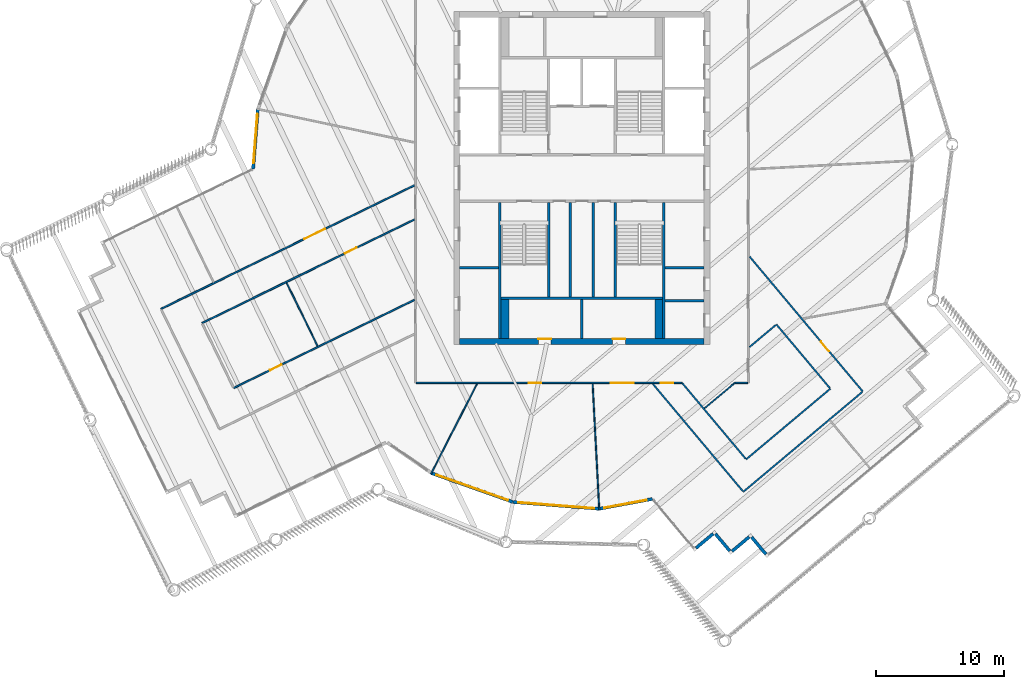
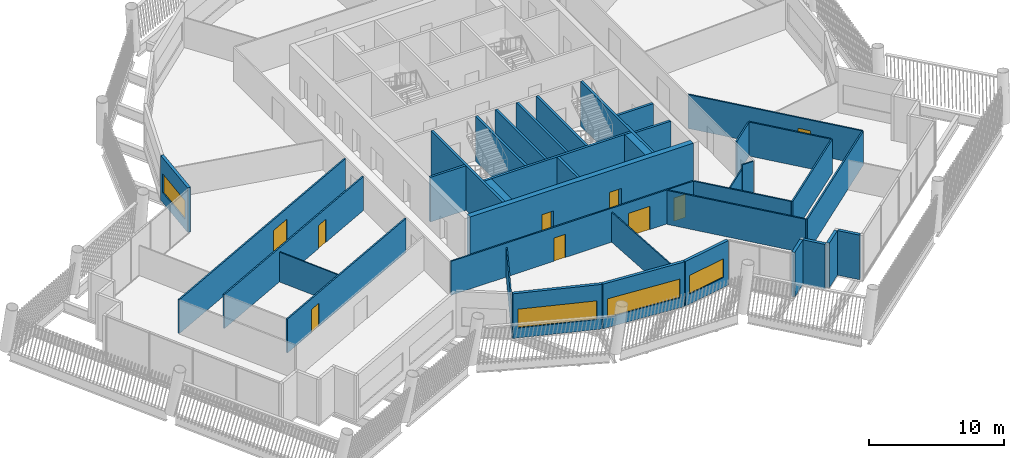
# One storey, part 20 of 31: 38 walls, 9 doors, 4 windows, 13 openings.
"""IFC4 building model written with IfcOpenShell, lengths in metres."""

from ifc_helpers import new_model, si_unit, direction, frame, frame_2d, origin, place, context, subcontext, project, spatial, rectangle, extrude, material, layer, layer_set, type_object, element, fill, save


model = new_model("IFC4")

# Units and contexts
model_context = context("Model", 3, precision=1e-05, world=origin(), true_north=direction((0.0, 1.0)))
body_context = subcontext(model_context, "Body", "Model", "MODEL_VIEW")
ifc_project = project(units=[si_unit("LENGTHUNIT", "METRE"), si_unit("AREAUNIT", "SQUARE_METRE"), si_unit("VOLUMEUNIT", "CUBIC_METRE"), si_unit("PLANEANGLEUNIT", "RADIAN"), si_unit("MASSUNIT", "GRAM", prefix="KILO")], contexts=[model_context])

# Site, building, storey
site_placement = place(None, origin())
site = spatial("IfcSite", under=ifc_project, at=site_placement, CompositionType="ELEMENT")
building_placement = place(site_placement, origin())
building = spatial("IfcBuilding", under=site, at=building_placement, Name="Tarsis Ring Headquarters", CompositionType="ELEMENT")
storey_placement = place(building_placement, frame((0.0, 0.0, 390.199951171875)))
storey = spatial("IfcBuildingStorey", under=building, at=storey_placement, Name="L92", CompositionType="ELEMENT", Elevation=390.199951171875)

# Walls
ifc_material_1 = material(Name="Blockwork", Category="masonry")
ifc_layer_1 = layer(ifc_material_1, 0.199951171875)
ifc_layer_set_1 = layer_set([ifc_layer_1], Name="Core blockwork wall 200")
wall_type_1 = type_object("IfcWallType", Name="Core blockwork wall 200", PredefinedType="PARTITIONING", material=ifc_layer_set_1)
for number, where, z_axis, x_axis, name in (
    (1, (-9.550048828125, -7.0, 0.0), (0.0, 0.0, 1.0), (1.0, 0.0, 0.0), "Core partition WD2"),
    (2, (6.5, -9.60009765625, 0.0), (0.0, 0.0, 1.0), (1.0, 0.0, 0.0), "Core partition ED1"),
    (3, (6.5, -7.0, 0.0), (0.0, 0.0, 1.0), (1.0, 0.0, 0.0), "Core partition ED2"),
    (4, (0.0, -12.550048828125, 0.0), (0.0, 0.0, 1.0), (0.0, 1.0, 0.0), "Core partition SD2"),
):
    element("IfcWall", number, at=place(storey_placement, frame(where, z_axis=z_axis, x_axis=x_axis)), inside=storey, type_object=wall_type_1, Name=name, PredefinedType="PARTITIONING", context=body_context, shape_type="SweptSolid", body=[
        extrude(rectangle(XDim=3.050048828125, YDim=0.199951171875, at=frame_2d((1.52490234375, 0.0))), origin(), (0.0, 0.0, 1.0), 4.0400390625),
    ])
for number, where, z_axis, x_axis, name in (
    (5, (-0.89990234375, -9.300048828125, 0.0), (0.0, 0.0, 1.0), (0.0, 1.0, 0.0), "Core partition SV1"),
    (6, (0.89990234375, -9.300048828125, 0.0), (0.0, 0.0, 1.0), (0.0, 1.0, 0.0), "Core partition SV2"),
):
    element("IfcWall", number, at=place(storey_placement, frame(where, z_axis=z_axis, x_axis=x_axis)), inside=storey, type_object=wall_type_1, Name=name, PredefinedType="PARTITIONING", context=body_context, shape_type="SweptSolid", body=[
        extrude(rectangle(XDim=7.400146484375, YDim=0.199951171875, at=frame_2d((3.7001953125, 0.0))), origin(), (0.0, 0.0, 1.0), 4.0400390625),
    ])

# Wall, openings, doors
ifc_material_2 = material(Name="Concrete C50/60", Category="concrete")
ifc_layer_2 = layer(ifc_material_2, 0.449951171875)
ifc_layer_set_2 = layer_set([ifc_layer_2], Name="Core wall 450 C50/60")
wall_type_2 = type_object("IfcWallType", Name="Core wall 450 C50/60", PredefinedType="SHEAR", material=ifc_layer_set_2)
wall_1_placement = place(storey_placement, frame((-9.550048828125, -12.77490234375, 0.0), z_axis=(0.0, 0.0, 1.0), x_axis=(1.0, 0.0, 0.0)))
wall_1 = element("IfcWall", 7, at=wall_1_placement, inside=storey, type_object=wall_type_2, Name="Core wall OS", PredefinedType="SHEAR", context=body_context, shape_type="SweptSolid", body=[
    extrude(rectangle(XDim=19.10009765625, YDim=0.449951171875, at=frame_2d((9.550048828125, 0.0))), origin(), (0.0, 0.0, 1.0), 4.0400390625),
])
opening_1_placement = place(wall_1_placement, frame((6.14990234375, 0.0, 0.0)))
opening_1 = element("IfcOpeningElement", 8, at=opening_1_placement, cuts=wall_1, Name="Opening L92-C18", PredefinedType="OPENING", context=body_context, shape_type="SweptSolid", body=[
    extrude(rectangle(XDim=1.0, YDim=2.10009765625, at=frame_2d((0.5, 1.050048828125))), frame((0.0, 0.23486328125, 0.0), z_axis=(0.0, -1.0, 0.0), x_axis=(1.0, 0.0, 0.0)), (0.0, 0.0, 1.0), 0.469970703125),
])
opening_2_placement = place(wall_1_placement, frame((11.949951171875, 0.0, 0.0)))
opening_2 = element("IfcOpeningElement", 9, at=opening_2_placement, cuts=wall_1, Name="Opening L92-C19", PredefinedType="OPENING", context=body_context, shape_type="SweptSolid", body=[
    extrude(rectangle(XDim=1.0, YDim=2.10009765625, at=frame_2d((0.5, 1.050048828125))), frame((0.0, 0.23486328125, 0.0), z_axis=(0.0, -1.0, 0.0), x_axis=(1.0, 0.0, 0.0)), (0.0, 0.0, 1.0), 0.469970703125),
])
ifc_material_3 = material(Name="Steel S355", Category="steel")
door_type_1 = type_object("IfcDoorType", Name="Core room door 1000x2100", OperationType="SINGLE_SWING_LEFT", PredefinedType="DOOR", material=ifc_material_3)
door_1_placement = place(opening_1_placement, origin())
door_1 = element("IfcDoor", 10, at=door_1_placement, inside=storey, type_object=door_type_1, Name="Core room door L92", OperationType="SINGLE_SWING_LEFT", OverallHeight=2.10009765625, OverallWidth=1.0, PredefinedType="DOOR", context=body_context, shape_type="SweptSolid", body=[
    extrude(rectangle(XDim=1.0, YDim=2.10009765625, at=frame_2d((0.5, 1.050048828125))), frame((0.0, 0.22509765625, 0.0), z_axis=(0.0, -1.0, 0.0), x_axis=(1.0, 0.0, 0.0)), (0.0, 0.0, 1.0), 0.050048828125),
])
fill(opening_1, door_1)
door_2_placement = place(opening_2_placement, origin())
door_2 = element("IfcDoor", 11, at=door_2_placement, inside=storey, type_object=door_type_1, Name="Core room door L92", OperationType="SINGLE_SWING_LEFT", OverallHeight=2.10009765625, OverallWidth=1.0, PredefinedType="DOOR", context=body_context, shape_type="SweptSolid", body=[
    extrude(rectangle(XDim=1.0, YDim=2.10009765625, at=frame_2d((0.5, 1.050048828125))), frame((0.0, 0.22509765625, 0.0), z_axis=(0.0, -1.0, 0.0), x_axis=(1.0, 0.0, 0.0)), (0.0, 0.0, 1.0), 0.050048828125),
])
fill(opening_2, door_2)

# Walls
ifc_material_4 = material(Name="Gypsum board on steel studs", Category="steel")
ifc_layer_3 = layer(ifc_material_4, 0.10009765625)
ifc_layer_set_3 = layer_set([ifc_layer_3], Name="FL partition 100 unrated")
wall_type_3 = type_object("IfcWallType", Name="FL partition 100 unrated", PredefinedType="PARTITIONING", material=ifc_layer_set_3)
wall_2_placement = place(storey_placement, frame((0.84228515625, -16.06982421875, 0.0), z_axis=(0.0, 0.0, 1.0), x_axis=(0.05231570924, -0.998630595649, 0.0)))
element("IfcWall", 12, at=wall_2_placement, inside=storey, type_object=wall_type_3, Name="Partition PW3", PredefinedType="PARTITIONING", context=body_context, shape_type="SweptSolid", body=[
    extrude(rectangle(XDim=9.85595703125, YDim=0.10009765625, at=frame_2d((4.927978515625, 0.0))), origin(), (0.0, 0.0, 1.0), 2.699951171875),
])
wall_3_placement = place(storey_placement, frame((-11.780029296875, -23.11962890625, 0.0), z_axis=(0.0, 0.0, 1.0), x_axis=(0.453974386458, 0.891014734132, 0.0)))
element("IfcWall", 13, at=wall_3_placement, inside=storey, type_object=wall_type_3, Name="Partition PW3", PredefinedType="PARTITIONING", context=body_context, shape_type="SweptSolid", body=[
    extrude(rectangle(XDim=7.900634765625, YDim=0.10009765625, at=frame_2d((3.9501953125, 0.0))), origin(), (0.0, 0.0, 1.0), 2.699951171875),
])
wall_4_placement = place(storey_placement, frame((-23.05517578125, -8.18505859375, 0.0), z_axis=(0.0, 0.0, 1.0), x_axis=(0.438349292002, -0.898804705262, 0.0)))
element("IfcWall", 14, at=wall_4_placement, inside=storey, type_object=wall_type_3, Name="Partition PW3", PredefinedType="PARTITIONING", context=body_context, shape_type="SweptSolid", body=[
    extrude(rectangle(XDim=5.5, YDim=0.10009765625, at=frame_2d((2.75, 0.0))), origin(), (0.0, 0.0, 1.0), 2.699951171875),
])
wall_5_placement = place(storey_placement, frame((9.58447265625, -17.987548828125, 0.0), z_axis=(0.0, 0.0, 1.0), x_axis=(0.76602217135, 0.642814151213, 0.0)))
element("IfcWall", 15, at=wall_5_placement, inside=storey, type_object=wall_type_3, Name="Partition PW3", PredefinedType="PARTITIONING", context=body_context, shape_type="SweptSolid", body=[
    extrude(rectangle(XDim=3.09130859375, YDim=0.10009765625, at=frame_2d((1.545654296875, 0.0))), origin(), (0.0, 0.0, 1.0), 2.699951171875),
])

# Wall, opening, door
ifc_layer_4 = layer(ifc_material_4, 0.125)
ifc_layer_set_4 = layer_set([ifc_layer_4], Name="FL partition 125 EI 60 H3070")
wall_type_4 = type_object("IfcWallType", Name="FL partition 125 EI 60 H3070", PredefinedType="PARTITIONING", material=ifc_layer_set_4)
wall_6_placement = place(storey_placement, frame((-32.874267578125, -10.22607421875, 0.0), z_axis=(0.0, 0.0, 1.0), x_axis=(0.898795932762, 0.438367278946, 0.0)))
wall_6 = element("IfcWall", 16, at=wall_6_placement, inside=storey, type_object=wall_type_4, Name="Partition PW1H307", PredefinedType="PARTITIONING", context=body_context, shape_type="SweptSolid", body=[
    extrude(rectangle(XDim=22.022216796875, YDim=0.125, at=frame_2d((11.01123046875, 0.0))), origin(), (0.0, 0.0, 1.0), 3.070068359375),
])
opening_3_placement = place(wall_6_placement, frame((12.458984375, 0.0, 0.0)))
opening_3 = element("IfcOpeningElement", 17, at=opening_3_placement, cuts=wall_6, Name="Opening D92.02", PredefinedType="OPENING", context=body_context, shape_type="SweptSolid", body=[
    extrude(rectangle(XDim=1.800048828125, YDim=2.10009765625, at=frame_2d((0.89990234375, 1.050048828125))), frame((0.0, 0.072509765625, 0.0), z_axis=(0.0, -1.0, 0.0), x_axis=(1.0, 0.0, 0.0)), (0.0, 0.0, 1.0), 0.14501953125),
])
ifc_material_5 = material(Name="Fire-rated timber door leaf in steel frame", Category="steel")
door_type_2 = type_object("IfcDoorType", Name="FL door FD60-1800", OperationType="DOUBLE_DOOR_SINGLE_SWING", PredefinedType="DOOR", material=ifc_material_5)
door_3_placement = place(opening_3_placement, origin())
door_3 = element("IfcDoor", 18, at=door_3_placement, inside=storey, type_object=door_type_2, Name="Door D92.02", OperationType="DOUBLE_DOOR_SINGLE_SWING", OverallHeight=2.10009765625, OverallWidth=1.800048828125, PredefinedType="DOOR", context=body_context, shape_type="SweptSolid", body=[
    extrude(rectangle(XDim=1.800048828125, YDim=2.10009765625, at=frame_2d((0.89990234375, 1.050048828125))), frame((0.0, 0.02490234375, 0.0), z_axis=(0.0, -1.0, 0.0), x_axis=(1.0, 0.0, 0.0)), (0.0, 0.0, 1.0), 0.050048828125),
])
fill(opening_3, door_3)

# Wall, openings, doors
wall_7_placement = place(storey_placement, frame((-12.93994140625, -16.0, 0.0), z_axis=(0.0, 0.0, 1.0), x_axis=(1.0, 0.0, 0.0)))
wall_7 = element("IfcWall", 19, at=wall_7_placement, inside=storey, type_object=wall_type_4, Name="Partition PW1H307", PredefinedType="PARTITIONING", context=body_context, shape_type="SweptSolid", body=[
    extrude(rectangle(XDim=20.76513671875, YDim=0.125, at=frame_2d((10.382568359375, 0.0))), origin(), (0.0, 0.0, 1.0), 3.070068359375),
])
opening_4_placement = place(wall_7_placement, frame((15.197021484375, 0.0, 0.0)))
opening_4 = element("IfcOpeningElement", 20, at=opening_4_placement, cuts=wall_7, Name="Opening D92.10", PredefinedType="OPENING", context=body_context, shape_type="SweptSolid", body=[
    extrude(rectangle(XDim=1.800048828125, YDim=2.10009765625, at=frame_2d((0.89990234375, 1.050048828125))), frame((0.0, 0.072509765625, 0.0), z_axis=(0.0, -1.0, 0.0), x_axis=(1.0, 0.0, 0.0)), (0.0, 0.0, 1.0), 0.14501953125),
])
opening_5_placement = place(wall_7_placement, frame((8.783203125, 0.0, 0.0)))
opening_5 = element("IfcOpeningElement", 21, at=opening_5_placement, cuts=wall_7, Name="Opening D92.11", PredefinedType="OPENING", context=body_context, shape_type="SweptSolid", body=[
    extrude(rectangle(XDim=1.0, YDim=2.10009765625, at=frame_2d((0.5, 1.050048828125))), frame((0.0, 0.072509765625, 0.0), z_axis=(0.0, -1.0, 0.0), x_axis=(1.0, 0.0, 0.0)), (0.0, 0.0, 1.0), 0.14501953125),
])
opening_6_placement = place(wall_7_placement, frame((19.090576171875, 0.0, 0.0)))
opening_6 = element("IfcOpeningElement", 22, at=opening_6_placement, cuts=wall_7, Name="Opening D92.15", PredefinedType="OPENING", context=body_context, shape_type="SweptSolid", body=[
    extrude(rectangle(XDim=1.0, YDim=2.10009765625, at=frame_2d((0.5, 1.050048828125))), frame((0.0, 0.072509765625, 0.0), z_axis=(0.0, -1.0, 0.0), x_axis=(1.0, 0.0, 0.0)), (0.0, 0.0, 1.0), 0.14501953125),
])
door_type_3 = type_object("IfcDoorType", Name="FL door FD60-1000", OperationType="NOTDEFINED", PredefinedType="DOOR", material=ifc_material_5)
door_4_placement = place(opening_5_placement, origin())
door_4 = element("IfcDoor", 23, at=door_4_placement, inside=storey, type_object=door_type_3, Name="Door D92.11", OperationType="SINGLE_SWING_LEFT", OverallHeight=2.10009765625, OverallWidth=1.0, PredefinedType="DOOR", context=body_context, shape_type="SweptSolid", body=[
    extrude(rectangle(XDim=1.0, YDim=2.10009765625, at=frame_2d((0.5, 1.050048828125))), frame((0.0, 0.02490234375, 0.0), z_axis=(0.0, -1.0, 0.0), x_axis=(1.0, 0.0, 0.0)), (0.0, 0.0, 1.0), 0.050048828125),
])
fill(opening_5, door_4)
door_5_placement = place(opening_6_placement, origin())
door_5 = element("IfcDoor", 24, at=door_5_placement, inside=storey, type_object=door_type_3, Name="Door D92.15", OperationType="SINGLE_SWING_LEFT", OverallHeight=2.10009765625, OverallWidth=1.0, PredefinedType="DOOR", context=body_context, shape_type="SweptSolid", body=[
    extrude(rectangle(XDim=1.0, YDim=2.10009765625, at=frame_2d((0.5, 1.050048828125))), frame((0.0, 0.02490234375, 0.0), z_axis=(0.0, -1.0, 0.0), x_axis=(1.0, 0.0, 0.0)), (0.0, 0.0, 1.0), 0.050048828125),
])
fill(opening_6, door_5)
door_6_placement = place(opening_4_placement, origin())
door_6 = element("IfcDoor", 25, at=door_6_placement, inside=storey, type_object=door_type_2, Name="Door D92.10", OperationType="DOUBLE_DOOR_SINGLE_SWING", OverallHeight=2.10009765625, OverallWidth=1.800048828125, PredefinedType="DOOR", context=body_context, shape_type="SweptSolid", body=[
    extrude(rectangle(XDim=1.800048828125, YDim=2.10009765625, at=frame_2d((0.89990234375, 1.050048828125))), frame((0.0, 0.02490234375, 0.0), z_axis=(0.0, -1.0, 0.0), x_axis=(1.0, 0.0, 0.0)), (0.0, 0.0, 1.0), 0.050048828125),
])
fill(opening_4, door_6)

# Wall, opening, door
wall_8_placement = place(storey_placement, frame((-29.6650390625, -11.3310546875, 0.0), z_axis=(0.0, 0.0, 1.0), x_axis=(0.898795021218, 0.438369147904, 0.0)))
wall_8 = element("IfcWall", 26, at=wall_8_placement, inside=storey, type_object=wall_type_4, Name="Partition PW1H307", PredefinedType="PARTITIONING", context=body_context, shape_type="SweptSolid", body=[
    extrude(rectangle(XDim=18.45166015625, YDim=0.125, at=frame_2d((9.225830078125, 0.0))), origin(), (0.0, 0.0, 1.0), 3.070068359375),
])
opening_7_placement = place(wall_8_placement, frame((12.429443359375, 0.0, 0.0)))
opening_7 = element("IfcOpeningElement", 27, at=opening_7_placement, cuts=wall_8, Name="Opening D92.12", PredefinedType="OPENING", context=body_context, shape_type="SweptSolid", body=[
    extrude(rectangle(XDim=1.0, YDim=2.10009765625, at=frame_2d((0.5, 1.050048828125))), frame((0.0, 0.072509765625, 0.0), z_axis=(0.0, -1.0, 0.0), x_axis=(1.0, 0.0, 0.0)), (0.0, 0.0, 1.0), 0.14501953125),
])
door_7_placement = place(opening_7_placement, origin())
door_7 = element("IfcDoor", 28, at=door_7_placement, inside=storey, type_object=door_type_3, Name="Door D92.12", OperationType="SINGLE_SWING_RIGHT", OverallHeight=2.10009765625, OverallWidth=1.0, PredefinedType="DOOR", context=body_context, shape_type="SweptSolid", body=[
    extrude(rectangle(XDim=1.0, YDim=2.10009765625, at=frame_2d((0.5, 1.050048828125))), frame((0.0, 0.02490234375, 0.0), z_axis=(0.0, -1.0, 0.0), x_axis=(1.0, 0.0, 0.0)), (0.0, 0.0, 1.0), 0.050048828125),
])
fill(opening_7, door_7)

wall_9_placement = place(storey_placement, frame((-27.192626953125, -16.400390625, 0.0), z_axis=(0.0, 0.0, 1.0), x_axis=(0.898793550561, 0.438372163202, 0.0)))
wall_9 = element("IfcWall", 29, at=wall_9_placement, inside=storey, type_object=wall_type_4, Name="Partition PW1H307", PredefinedType="PARTITIONING", context=body_context, shape_type="SweptSolid", body=[
    extrude(rectangle(XDim=15.700927734375, YDim=0.125, at=frame_2d((7.8505859375, 0.0))), origin(), (0.0, 0.0, 1.0), 3.070068359375),
])
opening_8_placement = place(wall_9_placement, frame((3.15869140625, 0.0, 0.0)))
opening_8 = element("IfcOpeningElement", 30, at=opening_8_placement, cuts=wall_9, Name="Opening D92.13", PredefinedType="OPENING", context=body_context, shape_type="SweptSolid", body=[
    extrude(rectangle(XDim=1.0, YDim=2.10009765625, at=frame_2d((0.5, 1.050048828125))), frame((0.0, 0.072509765625, 0.0), z_axis=(0.0, -1.0, 0.0), x_axis=(1.0, 0.0, 0.0)), (0.0, 0.0, 1.0), 0.14501953125),
])
door_8_placement = place(opening_8_placement, origin())
door_8 = element("IfcDoor", 31, at=door_8_placement, inside=storey, type_object=door_type_3, Name="Door D92.13", OperationType="SINGLE_SWING_LEFT", OverallHeight=2.10009765625, OverallWidth=1.0, PredefinedType="DOOR", context=body_context, shape_type="SweptSolid", body=[
    extrude(rectangle(XDim=1.0, YDim=2.10009765625, at=frame_2d((0.5, 1.050048828125))), frame((0.0, 0.02490234375, 0.0), z_axis=(0.0, -1.0, 0.0), x_axis=(1.0, 0.0, 0.0)), (0.0, 0.0, 1.0), 0.050048828125),
])
fill(opening_8, door_8)

wall_10_placement = place(storey_placement, frame((13.096435546875, -6.13330078125, 0.0), z_axis=(0.0, 0.0, 1.0), x_axis=(0.64278389698, -0.766047558434, 0.0)))
wall_10 = element("IfcWall", 32, at=wall_10_placement, inside=storey, type_object=wall_type_4, Name="Partition PW1H307", PredefinedType="PARTITIONING", context=body_context, shape_type="SweptSolid", body=[
    extrude(rectangle(XDim=13.763427734375, YDim=0.125, at=frame_2d((6.8818359375, 0.0))), origin(), (0.0, 0.0, 1.0), 3.070068359375),
])
opening_9_placement = place(wall_10_placement, frame((8.65869140625, 0.0, 0.0)))
opening_9 = element("IfcOpeningElement", 33, at=opening_9_placement, cuts=wall_10, Name="Opening D92.09", PredefinedType="OPENING", context=body_context, shape_type="SweptSolid", body=[
    extrude(rectangle(XDim=1.0, YDim=2.10009765625, at=frame_2d((0.5, 1.050048828125))), frame((0.0, 0.072509765625, 0.0), z_axis=(0.0, -1.0, 0.0), x_axis=(1.0, 0.0, 0.0)), (0.0, 0.0, 1.0), 0.14501953125),
])
door_9_placement = place(opening_9_placement, origin())
door_9 = element("IfcDoor", 34, at=door_9_placement, inside=storey, type_object=door_type_3, Name="Door D92.09", OperationType="SINGLE_SWING_LEFT", OverallHeight=2.10009765625, OverallWidth=1.0, PredefinedType="DOOR", context=body_context, shape_type="SweptSolid", body=[
    extrude(rectangle(XDim=1.0, YDim=2.10009765625, at=frame_2d((0.5, 1.050048828125))), frame((0.0, 0.02490234375, 0.0), z_axis=(0.0, -1.0, 0.0), x_axis=(1.0, 0.0, 0.0)), (0.0, 0.0, 1.0), 0.050048828125),
])
fill(opening_9, door_9)

# Walls
wall_11_placement = place(storey_placement, frame((12.61279296875, -24.505859375, 0.0), z_axis=(0.0, 0.0, 1.0), x_axis=(0.766053954802, 0.642776273934, 0.0)))
element("IfcWall", 35, at=wall_11_placement, inside=storey, type_object=wall_type_4, Name="Partition PW1H307", PredefinedType="PARTITIONING", context=body_context, shape_type="SweptSolid", body=[
    extrude(rectangle(XDim=12.1201171875, YDim=0.125, at=frame_2d((6.06005859375, 0.0))), origin(), (0.0, 0.0, 1.0), 3.070068359375),
])
wall_12_placement = place(storey_placement, frame((5.552734375, -16.091796875, 0.0), z_axis=(0.0, 0.0, 1.0), x_axis=(0.642787885651, -0.766044211557, 0.0)))
element("IfcWall", 36, at=wall_12_placement, inside=storey, type_object=wall_type_4, Name="Partition PW1H307", PredefinedType="PARTITIONING", context=body_context, shape_type="SweptSolid", body=[
    extrude(rectangle(XDim=10.923828125, YDim=0.125, at=frame_2d((5.4619140625, 0.0))), origin(), (0.0, 0.0, 1.0), 3.070068359375),
])
wall_13_placement = place(storey_placement, frame((12.834716796875, -21.969970703125, 0.0), z_axis=(0.0, 0.0, 1.0), x_axis=(0.766047809546, 0.642783597714, 0.0)))
element("IfcWall", 37, at=wall_13_placement, inside=storey, type_object=wall_type_4, Name="Partition PW1H307", PredefinedType="PARTITIONING", context=body_context, shape_type="SweptSolid", body=[
    extrude(rectangle(XDim=8.580078125, YDim=0.125, at=frame_2d((4.2900390625, 0.0))), origin(), (0.0, 0.0, 1.0), 3.070068359375),
])
wall_14_placement = place(storey_placement, frame((7.85107421875, -16.03076171875, 0.0), z_axis=(0.0, 0.0, 1.0), x_axis=(0.642787125552, -0.766044849356, 0.0)))
element("IfcWall", 38, at=wall_14_placement, inside=storey, type_object=wall_type_4, Name="Partition PW1H307", PredefinedType="PARTITIONING", context=body_context, shape_type="SweptSolid", body=[
    extrude(rectangle(XDim=7.693115234375, YDim=0.125, at=frame_2d((3.8466796875, 0.0))), origin(), (0.0, 0.0, 1.0), 3.070068359375),
])
wall_15_placement = place(storey_placement, frame((15.19580078125, -11.435791015625, 0.0), z_axis=(0.0, 0.0, 1.0), x_axis=(0.642799537709, -0.766034434162, 0.0)))
element("IfcWall", 39, at=wall_15_placement, inside=storey, type_object=wall_type_4, Name="Partition PW1H307", PredefinedType="PARTITIONING", context=body_context, shape_type="SweptSolid", body=[
    extrude(rectangle(XDim=6.491943359375, YDim=0.125, at=frame_2d((3.24609375, 0.0))), origin(), (0.0, 0.0, 1.0), 3.070068359375),
])
wall_16_placement = place(storey_placement, frame((13.09326171875, -13.20263671875, 0.0), z_axis=(0.0, 0.0, 1.0), x_axis=(0.766034185915, 0.642799833548, 0.0)))
element("IfcWall", 40, at=wall_16_placement, inside=storey, type_object=wall_type_4, Name="Partition PW1H307", PredefinedType="PARTITIONING", context=body_context, shape_type="SweptSolid", body=[
    extrude(rectangle(XDim=2.686279296875, YDim=0.125, at=frame_2d((1.34326171875, 0.0))), origin(), (0.0, 0.0, 1.0), 3.070068359375),
])
wall_17_placement = place(storey_placement, frame((11.971923828125, -16.0, 0.0), z_axis=(0.0, 0.0, 1.0), x_axis=(1.0, 0.0, 0.0)))
element("IfcWall", 41, at=wall_17_placement, inside=storey, type_object=wall_type_4, Name="Partition PW1H307", PredefinedType="PARTITIONING", context=body_context, shape_type="SweptSolid", body=[
    extrude(rectangle(XDim=0.967041015625, YDim=0.125, at=frame_2d((0.4833984375, 0.0))), origin(), (0.0, 0.0, 1.0), 3.070068359375),
])

# Wall, opening, window
ifc_material_6 = material(Name="Terracotta clad insulated panel wall", Category="masonry")
ifc_layer_5 = layer(ifc_material_6, 0.25)
ifc_layer_set_5 = layer_set([ifc_layer_5], Name="Facade wall terracotta panel 250")
wall_type_5 = type_object("IfcWallType", Name="Facade wall terracotta panel 250", PredefinedType="STANDARD", material=ifc_layer_set_5)
wall_18_placement = place(storey_placement, frame((-11.73095703125, -23.059326171875, 0.0), z_axis=(0.0, 0.0, 1.0), x_axis=(0.942642464796, -0.333804109567, 0.0)))
wall_18 = element("IfcWall", 42, at=wall_18_placement, inside=storey, type_object=wall_type_5, Name="External wall L92-03", PredefinedType="STANDARD", context=body_context, shape_type="SweptSolid", body=[
    extrude(rectangle(XDim=6.721435546875, YDim=0.25, at=frame_2d((3.36083984375, 0.0))), origin(), (0.0, 0.0, 1.0), 4.0400390625),
])
opening_10_placement = place(wall_18_placement, frame((0.3857421875, 0.0, 0.89990234375)))
opening_10 = element("IfcOpeningElement", 43, at=opening_10_placement, cuts=wall_18, Name="Opening WN07", PredefinedType="OPENING", context=body_context, shape_type="SweptSolid", body=[
    extrude(rectangle(XDim=5.949951171875, YDim=1.699951171875, at=frame_2d((2.97509765625, 0.85009765625))), frame((0.0, 0.135009765625, 0.0), z_axis=(0.0, -1.0, 0.0), x_axis=(1.0, 0.0, 0.0)), (0.0, 0.0, 1.0), 0.27001953125),
])
ifc_material_7 = material(Name="Aluminium framed double glazing", Category="aluminium")
window_type_1 = type_object("IfcWindowType", Name="Facade window 5950 x 1700", PartitioningType="SINGLE_PANEL", PredefinedType="WINDOW", material=ifc_material_7)
window_1_placement = place(opening_10_placement, origin())
window_1 = element("IfcWindow", 44, at=window_1_placement, inside=storey, type_object=window_type_1, Name="Window L92-03.1", OverallHeight=1.699951171875, OverallWidth=5.949951171875, PartitioningType="SINGLE_PANEL", PredefinedType="WINDOW", context=body_context, shape_type="SweptSolid", body=[
    extrude(rectangle(XDim=5.949951171875, YDim=1.699951171875, at=frame_2d((2.97509765625, 0.85009765625))), frame((0.0, 0.030029296875, 0.0), z_axis=(0.0, -1.0, 0.0), x_axis=(1.0, 0.0, 0.0)), (0.0, 0.0, 1.0), 0.06005859375),
])
fill(opening_10, window_1)

wall_19_placement = place(storey_placement, frame((-5.363037109375, -25.309814453125, 0.0), z_axis=(0.0, 0.0, 1.0), x_axis=(0.996917467391, -0.078457397419, 0.0)))
wall_19 = element("IfcWall", 45, at=wall_19_placement, inside=storey, type_object=wall_type_5, Name="External wall L92-04", PredefinedType="STANDARD", context=body_context, shape_type="SweptSolid", body=[
    extrude(rectangle(XDim=6.721435546875, YDim=0.25, at=frame_2d((3.36083984375, 0.0))), origin(), (0.0, 0.0, 1.0), 4.0400390625),
])
opening_11_placement = place(wall_19_placement, frame((0.3857421875, 0.0, 0.89990234375)))
opening_11 = element("IfcOpeningElement", 46, at=opening_11_placement, cuts=wall_19, Name="Opening WN07", PredefinedType="OPENING", context=body_context, shape_type="SweptSolid", body=[
    extrude(rectangle(XDim=5.949951171875, YDim=1.699951171875, at=frame_2d((2.97509765625, 0.85009765625))), frame((0.0, 0.135009765625, 0.0), z_axis=(0.0, -1.0, 0.0), x_axis=(1.0, 0.0, 0.0)), (0.0, 0.0, 1.0), 0.27001953125),
])
window_2_placement = place(opening_11_placement, origin())
window_2 = element("IfcWindow", 47, at=window_2_placement, inside=storey, type_object=window_type_1, Name="Window L92-04.1", OverallHeight=1.699951171875, OverallWidth=5.949951171875, PartitioningType="SINGLE_PANEL", PredefinedType="WINDOW", context=body_context, shape_type="SweptSolid", body=[
    extrude(rectangle(XDim=5.949951171875, YDim=1.699951171875, at=frame_2d((2.97509765625, 0.85009765625))), frame((0.0, 0.030029296875, 0.0), z_axis=(0.0, -1.0, 0.0), x_axis=(1.0, 0.0, 0.0)), (0.0, 0.0, 1.0), 0.06005859375),
])
fill(opening_11, window_2)

wall_20_placement = place(storey_placement, frame((1.370361328125, -25.83544921875, 0.0), z_axis=(0.0, 0.0, 1.0), x_axis=(0.983253484905, 0.182243201308, 0.0)))
wall_20 = element("IfcWall", 48, at=wall_20_placement, inside=storey, type_object=wall_type_5, Name="External wall L92-05", PredefinedType="STANDARD", context=body_context, shape_type="SweptSolid", body=[
    extrude(rectangle(XDim=4.202392578125, YDim=0.25, at=frame_2d((2.10107421875, 0.0))), origin(), (0.0, 0.0, 1.0), 4.0400390625),
])
opening_12_placement = place(wall_20_placement, frame((0.38720703125, 0.0, 0.89990234375)))
opening_12 = element("IfcOpeningElement", 49, at=opening_12_placement, cuts=wall_20, Name="Opening WN01", PredefinedType="OPENING", context=body_context, shape_type="SweptSolid", body=[
    extrude(rectangle(XDim=3.35009765625, YDim=1.699951171875, at=frame_2d((1.675048828125, 0.85009765625))), frame((0.0, 0.135009765625, 0.0), z_axis=(0.0, -1.0, 0.0), x_axis=(1.0, 0.0, 0.0)), (0.0, 0.0, 1.0), 0.27001953125),
])
window_type_2 = type_object("IfcWindowType", Name="Facade window 3350 x 1700", PartitioningType="SINGLE_PANEL", PredefinedType="WINDOW", material=ifc_material_7)
window_3_placement = place(opening_12_placement, origin())
window_3 = element("IfcWindow", 50, at=window_3_placement, inside=storey, type_object=window_type_2, Name="Window L92-05.1", OverallHeight=1.699951171875, OverallWidth=3.35009765625, PartitioningType="SINGLE_PANEL", PredefinedType="WINDOW", context=body_context, shape_type="SweptSolid", body=[
    extrude(rectangle(XDim=3.35009765625, YDim=1.699951171875, at=frame_2d((1.675048828125, 0.85009765625))), frame((0.0, 0.030029296875, 0.0), z_axis=(0.0, -1.0, 0.0), x_axis=(1.0, 0.0, 0.0)), (0.0, 0.0, 1.0), 0.06005859375),
])
fill(opening_12, window_3)

# Walls
for number, where, z_axis, x_axis, name in (
    (51, (8.916748046875, -28.90625, 0.0), (0.0, 0.0, 1.0), (0.766009826522, 0.642828861885, 0.0), "External wall L92-07"),
    (52, (10.433349609375, -27.796875, 0.0), (0.0, 0.0, 1.0), (0.642828861885, -0.766009826522, 0.0), "External wall L92-08"),
    (53, (11.734375, -29.15283203125, 0.0), (0.0, 0.0, 1.0), (0.766009826522, 0.642828861885, 0.0), "External wall L92-09"),
    (54, (13.2509765625, -28.043212890625, 0.0), (0.0, 0.0, 1.0), (0.642828861885, -0.766009826522, 0.0), "External wall L92-10"),
):
    element("IfcWall", number, at=place(storey_placement, frame(where, z_axis=z_axis, x_axis=x_axis)), inside=storey, type_object=wall_type_5, Name=name, PredefinedType="STANDARD", context=body_context, shape_type="SweptSolid", body=[
        extrude(rectangle(XDim=1.75, YDim=0.25, at=frame_2d((0.875, 0.0))), origin(), (0.0, 0.0, 1.0), 4.0400390625),
    ])

# Wall, opening, window
wall_21_placement = place(storey_placement, frame((-25.309814453125, 5.363037109375, 0.0), z_axis=(0.0, 0.0, 1.0), x_axis=(-0.078434092083, -0.996919301247, 0.0)))
wall_21 = element("IfcWall", 55, at=wall_21_placement, inside=storey, type_object=wall_type_5, Name="External wall L92-30", PredefinedType="STANDARD", context=body_context, shape_type="SweptSolid", body=[
    extrude(rectangle(XDim=4.662841796875, YDim=0.25, at=frame_2d((2.33154296875, 0.0))), origin(), (0.0, 0.0, 1.0), 4.0400390625),
])
opening_13_placement = place(wall_21_placement, frame((0.367431640625, 0.0, 0.89990234375)))
opening_13 = element("IfcOpeningElement", 56, at=opening_13_placement, cuts=wall_21, Name="Opening WN02", PredefinedType="OPENING", context=body_context, shape_type="SweptSolid", body=[
    extrude(rectangle(XDim=3.85009765625, YDim=1.699951171875, at=frame_2d((1.925048828125, 0.85009765625))), frame((0.0, 0.135009765625, 0.0), z_axis=(0.0, -1.0, 0.0), x_axis=(1.0, 0.0, 0.0)), (0.0, 0.0, 1.0), 0.27001953125),
])
window_type_3 = type_object("IfcWindowType", Name="Facade window 3850 x 1700", PartitioningType="SINGLE_PANEL", PredefinedType="WINDOW", material=ifc_material_7)
window_4_placement = place(opening_13_placement, origin())
window_4 = element("IfcWindow", 57, at=window_4_placement, inside=storey, type_object=window_type_3, Name="Window L92-30.1", OverallHeight=1.699951171875, OverallWidth=3.85009765625, PartitioningType="SINGLE_PANEL", PredefinedType="WINDOW", context=body_context, shape_type="SweptSolid", body=[
    extrude(rectangle(XDim=3.85009765625, YDim=1.699951171875, at=frame_2d((1.925048828125, 0.85009765625))), frame((0.0, 0.030029296875, 0.0), z_axis=(0.0, -1.0, 0.0), x_axis=(1.0, 0.0, 0.0)), (0.0, 0.0, 1.0), 0.06005859375),
])
fill(opening_13, window_4)

# Walls
ifc_material_8 = material(Name="Concrete C32/40", Category="concrete")
ifc_layer_6 = layer(ifc_material_8, 0.60009765625)
ifc_layer_set_6 = layer_set([ifc_layer_6], Name="Shaft end wall 600 C32/40")
wall_type_6 = type_object("IfcWallType", Name="Shaft end wall 600 C32/40", PredefinedType="SOLIDWALL", material=ifc_layer_set_6)
for number, where, z_axis, x_axis, name in (
    (58, (-6.0, -12.550048828125, 0.0), (0.0, 0.0, 1.0), (0.0, 1.0, 0.0), "Core shaft wall SNE1"),
    (59, (6.0, -12.550048828125, 0.0), (0.0, 0.0, 1.0), (0.0, 1.0, 0.0), "Core shaft wall SNE2"),
):
    element("IfcWall", number, at=place(storey_placement, frame(where, z_axis=z_axis, x_axis=x_axis)), inside=storey, type_object=wall_type_6, Name=name, PredefinedType="SOLIDWALL", context=body_context, shape_type="SweptSolid", body=[
        extrude(rectangle(XDim=3.050048828125, YDim=0.60009765625, at=frame_2d((1.52490234375, 0.0))), origin(), (0.0, 0.0, 1.0), 4.0400390625),
    ])
ifc_layer_7 = layer(ifc_material_8, 0.199951171875)
ifc_layer_set_7 = layer_set([ifc_layer_7], Name="Shaft wall 200 C32/40")
wall_type_7 = type_object("IfcWallType", Name="Shaft wall 200 C32/40", PredefinedType="SOLIDWALL", material=ifc_layer_set_7)
for number, where, z_axis, x_axis, name in (
    (60, (-6.39990234375, -12.550048828125, 0.0), (0.0, 0.0, 1.0), (0.0, 1.0, 0.0), "Core shaft wall WB1"),
    (61, (6.39990234375, -12.550048828125, 0.0), (0.0, 0.0, 1.0), (0.0, 1.0, 0.0), "Core shaft wall EB1"),
):
    element("IfcWall", number, at=place(storey_placement, frame(where, z_axis=z_axis, x_axis=x_axis)), inside=storey, type_object=wall_type_7, Name=name, PredefinedType="SOLIDWALL", context=body_context, shape_type="SweptSolid", body=[
        extrude(rectangle(XDim=10.650146484375, YDim=0.199951171875, at=frame_2d((5.3251953125, 0.0))), origin(), (0.0, 0.0, 1.0), 4.0400390625),
    ])
wall_22_placement = place(storey_placement, frame((-6.300048828125, -9.39990234375, 0.0), z_axis=(0.0, 0.0, 1.0), x_axis=(1.0, 0.0, 0.0)))
element("IfcWall", 62, at=wall_22_placement, inside=storey, type_object=wall_type_7, Name="Core shaft wall SB", PredefinedType="SOLIDWALL", context=body_context, shape_type="SweptSolid", body=[
    extrude(rectangle(XDim=12.60009765625, YDim=0.199951171875, at=frame_2d((6.300048828125, 0.0))), origin(), (0.0, 0.0, 1.0), 4.0400390625),
])
for number, where, z_axis, x_axis, name in (
    (63, (-2.60009765625, -9.300048828125, 0.0), (0.0, 0.0, 1.0), (0.0, 1.0, 0.0), "Core shaft wall SW3"),
    (64, (2.60009765625, -9.300048828125, 0.0), (0.0, 0.0, 1.0), (0.0, 1.0, 0.0), "Core shaft wall SW4"),
):
    element("IfcWall", number, at=place(storey_placement, frame(where, z_axis=z_axis, x_axis=x_axis)), inside=storey, type_object=wall_type_7, Name=name, PredefinedType="SOLIDWALL", context=body_context, shape_type="SweptSolid", body=[
        extrude(rectangle(XDim=7.400146484375, YDim=0.199951171875, at=frame_2d((3.7001953125, 0.0))), origin(), (0.0, 0.0, 1.0), 4.0400390625),
    ])

save(model, "model.ifc")
